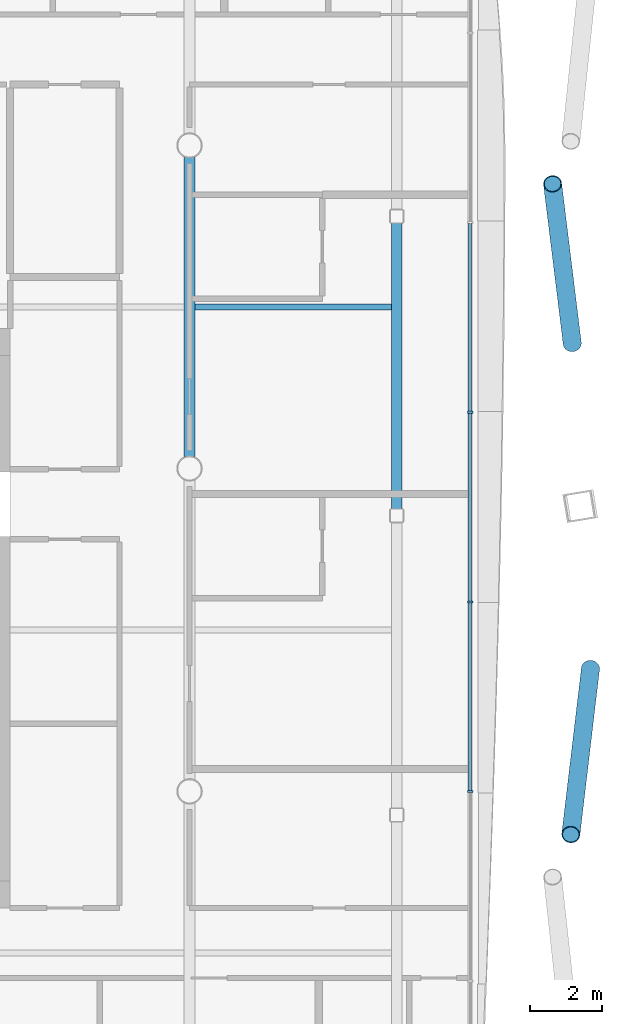
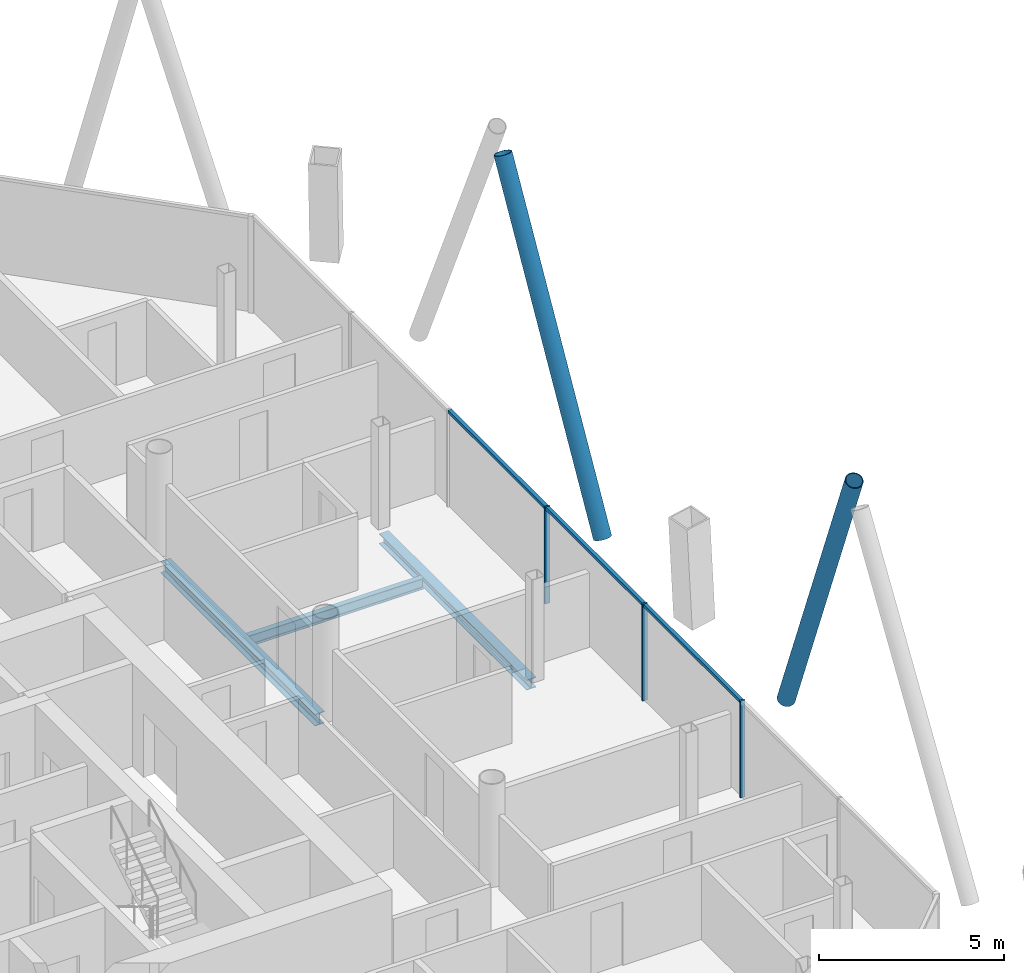
# One storey, part 8 of 23: 8 members, 3 beams, 1 element without a shape of its own.
"""IFC4 building model written with IfcOpenShell, lengths in metres."""

from ifc_helpers import new_model, si_unit, direction, frame, origin, origin_2d, place, context, subcontext, project, spatial, rectangle, hollow_circle, i_section, extrude, material, material_profile, profile_set, type_object, element, aggregate, save


model = new_model("IFC4")

# Units and contexts
model_context = context("Model", 3, precision=1e-05, world=origin(), true_north=direction((0.0, 1.0)))
body_context = subcontext(model_context, "Body", "Model", "MODEL_VIEW")
ifc_project = project(units=[si_unit("LENGTHUNIT", "METRE"), si_unit("AREAUNIT", "SQUARE_METRE"), si_unit("VOLUMEUNIT", "CUBIC_METRE"), si_unit("PLANEANGLEUNIT", "RADIAN"), si_unit("MASSUNIT", "GRAM", prefix="KILO")], contexts=[model_context])

# Site, building, storey
site_placement = place(None, origin())
site = spatial("IfcSite", under=ifc_project, at=site_placement, CompositionType="ELEMENT")
building_placement = place(site_placement, origin())
building = spatial("IfcBuilding", under=site, at=building_placement, Name="Tskaro Facet Tower", CompositionType="ELEMENT")
storey_placement = place(building_placement, frame((0.0, 0.0, 131.699951171875)))
storey = spatial("IfcBuildingStorey", under=building, at=storey_placement, Name="L31", CompositionType="ELEMENT", Elevation=131.699951171875)

# Members
ifc_material_1 = material(Name="Steel S355J2H", Category="steel")
ifc_material_profile_1 = material_profile(ifc_material_1, hollow_circle(Radius=0.25390625, WallThickness=0.02490234375, at=origin_2d()), Name="CHS 508x25")
ifc_profile_set_1 = profile_set([ifc_material_profile_1], Name="Steel S355J2H")
member_type_1 = type_object("IfcMemberType", Name="CHS 508x25 brace", PredefinedType="BRACE", material=ifc_profile_set_1)
member_1_placement = place(storey_placement, frame((29.17333984375, -5.580322265625, 0.0), z_axis=(-0.048861989092, -0.412343800107, 0.909717042017), x_axis=(0.993052175923, -0.117674873674, 0.0)))
element("IfcMember", 1, at=member_1_placement, inside=storey, type_object=member_type_1, Name="CHS 508x25 XB04B/3", PredefinedType="BRACE", context=body_context, shape_type="SweptSolid", body=[
    extrude(hollow_circle(Radius=0.25390625, WallThickness=0.02490234375, at=origin_2d()), origin(), (0.0, 0.0, 1.0), 11.212158203125),
])
member_2_placement = place(storey_placement, frame((28.665283203125, 3.487060546875, 0.0), z_axis=(-0.049181287012, 0.398929494737, 0.915661760279), x_axis=(-0.992486174585, -0.122356827589, 0.0)))
element("IfcMember", 2, at=member_2_placement, inside=storey, type_object=member_type_1, Name="CHS 508x25 XB05A/3", PredefinedType="BRACE", context=body_context, shape_type="SweptSolid", body=[
    extrude(hollow_circle(Radius=0.25390625, WallThickness=0.02490234375, at=origin_2d()), origin(), (0.0, 0.0, 1.0), 11.139404296875),
])

# Curtain wall, members
ifc_material_2 = material(Name="Bronze anodised aluminium 6063-T6", Category="aluminium")
curtain_wall_type = type_object("IfcCurtainWallType", Name="Bronze hotel curtain wall (FW2)", PredefinedType="NOTDEFINED", material=ifc_material_2)
curtain_wall_placement = place(storey_placement, origin())
curtain_wall = element("IfcCurtainWall", 3, at=curtain_wall_placement, inside=storey, type_object=curtain_wall_type, Name="FW2 east facet L31", PredefinedType="NOTDEFINED")
ifc_material_profile_2 = material_profile(ifc_material_2, rectangle(XDim=0.06005859375, YDim=0.14990234375, at=origin_2d()), Name="Mullion 60x150")
ifc_profile_set_2 = profile_set([ifc_material_profile_2], Name="Bronze anodised aluminium 6063-T6")
member_type_2 = type_object("IfcMemberType", Name="FW2 bronze mullion 60x150", PredefinedType="MULLION", material=ifc_profile_set_2)
member_3_placement = place(storey_placement, frame((25.820068359375, -9.003662109375, 0.0), z_axis=(0.0, 0.0, 1.0), x_axis=(0.0, 1.0, 0.0)))
member_3 = element("IfcMember", 4, at=member_3_placement, type_object=member_type_2, Name="FW2 east mullion 2", PredefinedType="MULLION", context=body_context, shape_type="SweptSolid", body=[
    extrude(rectangle(XDim=0.06005859375, YDim=0.14990234375, at=origin_2d()), origin(), (0.0, 0.0, 1.0), 3.199951171875),
])
member_4_placement = place(storey_placement, frame((25.820068359375, -3.718505859375, 0.0), z_axis=(0.0, 0.0, 1.0), x_axis=(0.0, 1.0, 0.0)))
member_4 = element("IfcMember", 5, at=member_4_placement, type_object=member_type_2, Name="FW2 east mullion 3", PredefinedType="MULLION", context=body_context, shape_type="SweptSolid", body=[
    extrude(rectangle(XDim=0.06005859375, YDim=0.14990234375, at=origin_2d()), origin(), (0.0, 0.0, 1.0), 3.199951171875),
])
member_5_placement = place(storey_placement, frame((25.820068359375, 1.566650390625, 0.0), z_axis=(0.0, 0.0, 1.0), x_axis=(0.0, 1.0, 0.0)))
member_5 = element("IfcMember", 6, at=member_5_placement, type_object=member_type_2, Name="FW2 east mullion 4", PredefinedType="MULLION", context=body_context, shape_type="SweptSolid", body=[
    extrude(rectangle(XDim=0.06005859375, YDim=0.14990234375, at=origin_2d()), origin(), (0.0, 0.0, 1.0), 3.199951171875),
])
ifc_material_profile_3 = material_profile(ifc_material_2, rectangle(XDim=0.110107421875, YDim=0.10009765625, at=origin_2d()), Name="Transom 110x100")
ifc_profile_set_3 = profile_set([ifc_material_profile_3], Name="Bronze anodised aluminium 6063-T6")
member_type_3 = type_object("IfcMemberType", Name="FW2 bronze transom 110x100", PredefinedType="USERDEFINED", material=ifc_profile_set_3)
member_6_placement = place(storey_placement, frame((25.820068359375, -8.9736328125, 3.150146484375), z_axis=(0.0, 1.0, 0.0), x_axis=(-1.0, 0.0, 0.0)))
member_6 = element("IfcMember", 7, at=member_6_placement, type_object=member_type_3, Name="FW2 east transom 3.1", ObjectType="TRANSOM", PredefinedType="USERDEFINED", context=body_context, shape_type="SweptSolid", body=[
    extrude(rectangle(XDim=0.110107421875, YDim=0.10009765625, at=origin_2d()), origin(), (0.0, 0.0, 1.0), 5.22509765625),
])
member_7_placement = place(storey_placement, frame((25.820068359375, -3.6884765625, 3.150146484375), z_axis=(0.0, 1.0, 0.0), x_axis=(-1.0, 0.0, 0.0)))
member_7 = element("IfcMember", 8, at=member_7_placement, type_object=member_type_3, Name="FW2 east transom 4.1", ObjectType="TRANSOM", PredefinedType="USERDEFINED", context=body_context, shape_type="SweptSolid", body=[
    extrude(rectangle(XDim=0.110107421875, YDim=0.10009765625, at=origin_2d()), origin(), (0.0, 0.0, 1.0), 5.22509765625),
])
member_8_placement = place(storey_placement, frame((25.820068359375, 1.5966796875, 3.150146484375), z_axis=(0.0, 1.0, 0.0), x_axis=(-1.0, 0.0, 0.0)))
member_8 = element("IfcMember", 9, at=member_8_placement, type_object=member_type_3, Name="FW2 east transom 5.1", ObjectType="TRANSOM", PredefinedType="USERDEFINED", context=body_context, shape_type="SweptSolid", body=[
    extrude(rectangle(XDim=0.110107421875, YDim=0.10009765625, at=origin_2d()), origin(), (0.0, 0.0, 1.0), 5.22509765625),
])
aggregate(curtain_wall, [member_3, member_4, member_5, member_6, member_7, member_8])

# Beams
ifc_material_3 = material(Name="Steel S355J2", Category="steel")
ifc_material_profile_4 = material_profile(ifc_material_3, i_section(OverallWidth=0.300048828125, OverallDepth=0.340087890625, WebThickness=0.011962890625, FlangeThickness=0.021484375, FilletRadius=0.027099609375, at=origin_2d()), Name="HE 340 B")
ifc_profile_set_4 = profile_set([ifc_material_profile_4], Name="Steel S355J2")
beam_type_1 = type_object("IfcBeamType", Name="HE 340 B ring beam", PredefinedType="BEAM", material=ifc_profile_set_4)
beam_1_placement = place(storey_placement, frame((23.77392578125, -1.135986328125, -0.31005859375), z_axis=(0.0, 1.0, 0.0), x_axis=(-1.0, 0.0, 0.0)))
element("IfcBeam", 10, at=beam_1_placement, inside=storey, type_object=beam_type_1, Name="HE 340 B EB8-3", PredefinedType="BEAM", context=body_context, shape_type="SweptSolid", body=[
    extrude(i_section(OverallWidth=0.300048828125, OverallDepth=0.340087890625, WebThickness=0.011962890625, FlangeThickness=0.021484375, FilletRadius=0.027099609375, at=origin_2d()), origin(), (0.0, 0.0, 1.0), 7.98193359375),
])
ifc_material_profile_5 = material_profile(ifc_material_3, i_section(OverallWidth=0.300048828125, OverallDepth=0.389892578125, WebThickness=0.010986328125, FlangeThickness=0.01904296875, FilletRadius=0.027099609375, at=origin_2d()), Name="HE 400 A")
ifc_profile_set_5 = profile_set([ifc_material_profile_5], Name="Steel S355J2")
beam_type_2 = type_object("IfcBeamType", Name="HE 400 A girder", PredefinedType="BEAM", material=ifc_profile_set_5)
beam_2_placement = place(storey_placement, frame((18.0, 0.325439453125, -0.3349609375), z_axis=(0.0, 1.0, 0.0), x_axis=(-1.0, 0.0, 0.0)))
element("IfcBeam", 11, at=beam_2_placement, inside=storey, type_object=beam_type_2, Name="HE 400 A GB6-3-3", PredefinedType="BEAM", context=body_context, shape_type="SweptSolid", body=[
    extrude(i_section(OverallWidth=0.300048828125, OverallDepth=0.389892578125, WebThickness=0.010986328125, FlangeThickness=0.01904296875, FilletRadius=0.027099609375, at=origin_2d()), origin(), (0.0, 0.0, 1.0), 8.34912109375),
])
ifc_material_profile_6 = material_profile(ifc_material_3, i_section(OverallWidth=0.169921875, OverallDepth=0.360107421875, WebThickness=0.008056640625, FlangeThickness=0.0126953125, FilletRadius=0.01806640625, at=origin_2d()), Name="IPE 360")
ifc_profile_set_6 = profile_set([ifc_material_profile_6], Name="Steel S355J2")
beam_type_3 = type_object("IfcBeamType", Name="IPE 360 secondary beam", PredefinedType="BEAM", material=ifc_profile_set_6)
beam_3_placement = place(storey_placement, frame((18.14990234375, 4.5, -0.320068359375), z_axis=(1.0, 0.0, 0.0), x_axis=(0.0, 1.0, 0.0)))
element("IfcBeam", 12, at=beam_3_placement, inside=storey, type_object=beam_type_3, Name="IPE 360 SB4a-5-3", PredefinedType="BEAM", context=body_context, shape_type="SweptSolid", body=[
    extrude(i_section(OverallWidth=0.169921875, OverallDepth=0.360107421875, WebThickness=0.008056640625, FlangeThickness=0.0126953125, FilletRadius=0.01806640625, at=origin_2d()), origin(), (0.0, 0.0, 1.0), 5.47412109375),
])

save(model, "model.ifc")
